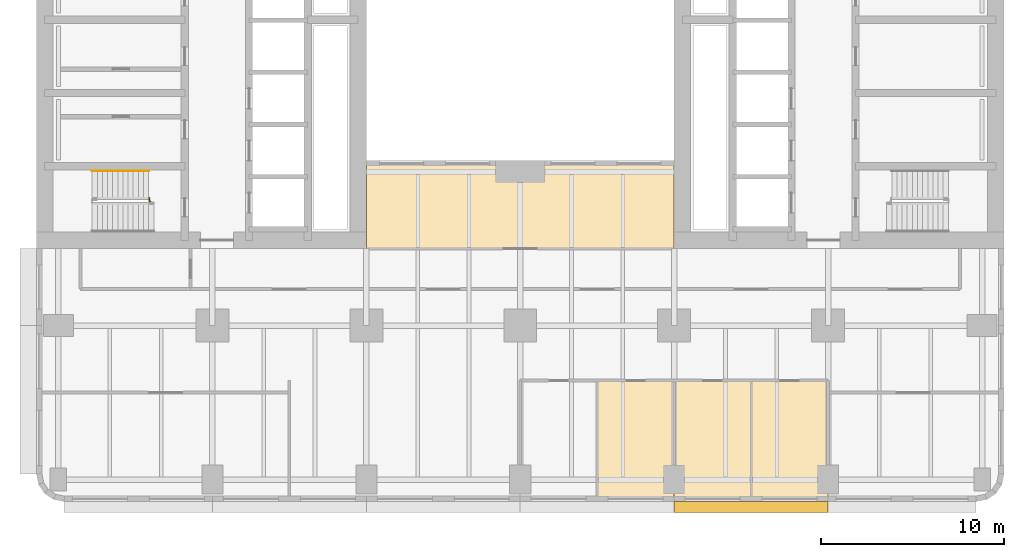
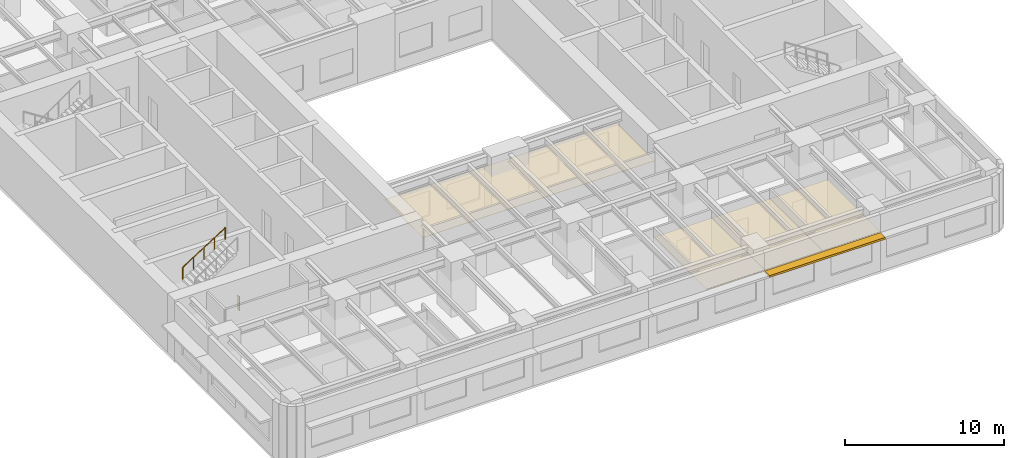
# One storey, part 10 of 14: 4 coverings, 2 railings, 1 shading device.
"""IFC4 building model written with IfcOpenShell, lengths in metres."""

from ifc_helpers import new_model, si_unit, direction, frame, origin, origin_2d, place, context, subcontext, project, spatial, polyline, rectangle, circle, outline, extrude, material, layer, layer_set, type_object, element, save


model = new_model("IFC4")

# Units and contexts
model_context = context("Model", 3, precision=1e-05, world=origin(), true_north=direction((0.0, 1.0)))
body_context = subcontext(model_context, "Body", "Model", "MODEL_VIEW")
ifc_project = project(units=[si_unit("LENGTHUNIT", "METRE"), si_unit("AREAUNIT", "SQUARE_METRE"), si_unit("VOLUMEUNIT", "CUBIC_METRE"), si_unit("PLANEANGLEUNIT", "RADIAN"), si_unit("MASSUNIT", "GRAM", prefix="KILO")], contexts=[model_context])

# Site, building, storey
site_placement = place(None, origin())
site = spatial("IfcSite", under=ifc_project, at=site_placement, CompositionType="ELEMENT")
building_placement = place(site_placement, origin())
building = spatial("IfcBuilding", under=site, at=building_placement, Name="Claustro Exchange Tower", CompositionType="ELEMENT")
storey_placement = place(building_placement, frame((0.0, 0.0, 32.39990234375)))
storey = spatial("IfcBuildingStorey", under=building, at=storey_placement, Name="L07", CompositionType="ELEMENT", Elevation=32.39990234375)

# Coverings
ifc_material_1 = material(Name="Gypsum board ceiling", Category="gypsum board")
ifc_layer_1 = layer(ifc_material_1, 0.02490234375)
ifc_layer_set_1 = layer_set([ifc_layer_1], Name="Gypsum board ceiling")
covering_type = type_object("IfcCoveringType", Name="CL2 plasterboard ceiling", PredefinedType="CEILING", material=ifc_layer_set_1)
covering_1_placement = place(storey_placement, frame((0.0, 0.0, 3.0)))
element("IfcCovering", 1, at=covering_1_placement, inside=storey, type_object=covering_type, Name="Ceiling CL2 L07-04", PredefinedType="CEILING", context=body_context, shape_type="SweptSolid", body=[
    extrude(outline(polyline([(29.39990234375, -1.199951171875), (33.60009765625, -1.199951171875), (33.60009765625, 5.39990234375), (29.39990234375, 5.39990234375), (29.39990234375, -1.199951171875)])), origin(), (0.0, 0.0, 1.0), 0.025146484375),
])
covering_2_placement = place(storey_placement, frame((0.0, 0.0, 3.0)))
element("IfcCovering", 2, at=covering_2_placement, inside=storey, type_object=covering_type, Name="Ceiling CL2 L07-05", PredefinedType="CEILING", context=body_context, shape_type="SweptSolid", body=[
    extrude(outline(polyline([(33.60009765625, -1.199951171875), (37.800048828125, -1.199951171875), (37.800048828125, 5.39990234375), (33.60009765625, 5.39990234375), (33.60009765625, -1.199951171875)])), origin(), (0.0, 0.0, 1.0), 0.025146484375),
])
covering_3_placement = place(storey_placement, frame((0.0, 0.0, 3.0)))
element("IfcCovering", 3, at=covering_3_placement, inside=storey, type_object=covering_type, Name="Ceiling CL2 L07-06", PredefinedType="CEILING", context=body_context, shape_type="SweptSolid", body=[
    extrude(outline(polyline([(37.800048828125, -1.199951171875), (42.0, -1.199951171875), (42.0, 5.39990234375), (37.800048828125, 5.39990234375), (37.800048828125, -1.199951171875)])), origin(), (0.0, 0.0, 1.0), 0.025146484375),
])
covering_4_placement = place(storey_placement, frame((0.0, 0.0, 3.0)))
element("IfcCovering", 4, at=covering_4_placement, inside=storey, type_object=covering_type, Name="Ceiling CL2 L07-10", PredefinedType="CEILING", context=body_context, shape_type="SweptSolid", body=[
    extrude(outline(polyline([(16.800048828125, 17.39990234375), (16.800048828125, 12.60009765625), (33.60009765625, 12.60009765625), (33.60009765625, 17.39990234375), (16.800048828125, 17.39990234375)])), origin(), (0.0, 0.0, 1.0), 0.025146484375),
])

# Railings
ifc_material_2 = material(Name="Steel balustrade, painted", Category="steel")
railing_type_1 = type_object("IfcRailingType", Name="GR2 1100 steel stair guard", PredefinedType="GUARDRAIL", material=ifc_material_2)
railing_1_placement = place(storey_placement, frame((5.0, 15.169921875, 0.0)))
element("IfcRailing", 5, at=railing_1_placement, inside=storey, type_object=railing_type_1, Name="Stair guard GR2 STWA L07", PredefinedType="GUARDRAIL", context=body_context, shape_type="SweptSolid", body=[
    extrude(circle(Radius=0.02392578125, at=origin_2d()), frame((0.0, 0.0, 1.076171875), z_axis=(0.0, 1.0, 0.0), x_axis=(-1.0, 0.0, 0.0)), (0.0, 0.0, 1.0), 0.030029296875),
    extrude(circle(Radius=0.02392578125, at=origin_2d()), frame((0.0, 0.030029296875, 1.076171875), z_axis=(-1.0, 0.0, 0.0), x_axis=(0.0, -1.0, 0.0)), (0.0, 0.0, 1.0), 0.054931640625),
    extrude(circle(Radius=0.02392578125, at=origin_2d()), frame((-0.054931640625, 0.030029296875, 1.076171875), z_axis=(0.0, 1.0, 0.0), x_axis=(-1.0, 0.0, 0.0)), (0.0, 0.0, 1.0), 0.179931640625),
    extrude(circle(Radius=0.02099609375, at=origin_2d()), origin(), (0.0, 0.0, 1.0), 1.052001953125),
    extrude(circle(Radius=0.02099609375, at=origin_2d()), frame((0.0, 0.030029296875, 0.0)), (0.0, 0.0, 1.0), 1.052001953125),
    extrude(circle(Radius=0.02099609375, at=origin_2d()), frame((-0.054931640625, 0.030029296875, 0.0)), (0.0, 0.0, 1.0), 1.052001953125),
    extrude(circle(Radius=0.02099609375, at=origin_2d()), frame((-0.054931640625, 0.2099609375, 0.0)), (0.0, 0.0, 1.0), 1.052001953125),
])
ifc_material_3 = material(Name="Stainless steel tube", Category="steel")
railing_type_2 = type_object("IfcRailingType", Name="HR1 900 stair handrail", PredefinedType="HANDRAIL", material=ifc_material_3)
railing_2_placement = place(storey_placement, frame((1.840087890625, 16.840087890625, 2.52001953125)))
element("IfcRailing", 6, at=railing_2_placement, inside=storey, type_object=railing_type_2, Name="Handrail HR1 stair STWA L07", PredefinedType="HANDRAIL", context=body_context, shape_type="SweptSolid", body=[
    extrude(circle(Radius=0.02392578125, at=origin_2d()), frame((0.0, 0.0, 0.8759765625), z_axis=(0.841167642724, 0.0, 0.540774441735), x_axis=(0.0, 1.0, 0.0)), (0.0, 0.0, 1.0), 3.661376953125),
    extrude(circle(Radius=0.02099609375, at=origin_2d()), origin(), (0.0, 0.0, 1.0), 0.851806640625),
    extrude(circle(Radius=0.02099609375, at=origin_2d()), frame((0.77001953125, 0.0, 0.4951171875)), (0.0, 0.0, 1.0), 0.851806640625),
    extrude(circle(Radius=0.02099609375, at=origin_2d()), frame((1.5400390625, 0.0, 0.989990234375)), (0.0, 0.0, 1.0), 0.851806640625),
    extrude(circle(Radius=0.02099609375, at=origin_2d()), frame((2.309814453125, 0.0, 1.48486328125)), (0.0, 0.0, 1.0), 0.851806640625),
    extrude(circle(Radius=0.02099609375, at=origin_2d()), frame((3.079833984375, 0.0, 1.97998046875)), (0.0, 0.0, 1.0), 0.851806640625),
])

# Shading device
ifc_material_4 = material(Name="Concrete HA-40 (C40/50), precast, white cement, acid-etched", Category="concrete")
ifc_layer_2 = layer(ifc_material_4, 0.14990234375)
ifc_layer_set_2 = layer_set([ifc_layer_2], Name="Concrete HA-40 (C40/50), precast, white cement, acid-etched")
shading_device_type = type_object("IfcShadingDeviceType", Name="SS1 600 precast concrete SUNSHADE", PredefinedType="SHUTTER", material=ifc_layer_set_2)
shading_device_placement = place(storey_placement, frame((37.800048828125, -1.5, 2.800048828125), z_axis=(0.0, 0.0, 1.0), x_axis=(-1.0, 0.0, 0.0)))
element("IfcShadingDevice", 7, at=shading_device_placement, inside=storey, type_object=shading_device_type, Name="Precast SUNSHADE SS1 L07", PredefinedType="SHUTTER", context=body_context, shape_type="SweptSolid", body=[
    extrude(rectangle(XDim=8.39990234375, YDim=0.60009765625, at=origin_2d()), origin(), (0.0, 0.0, 1.0), 0.14990234375),
])

save(model, "model.ifc")
